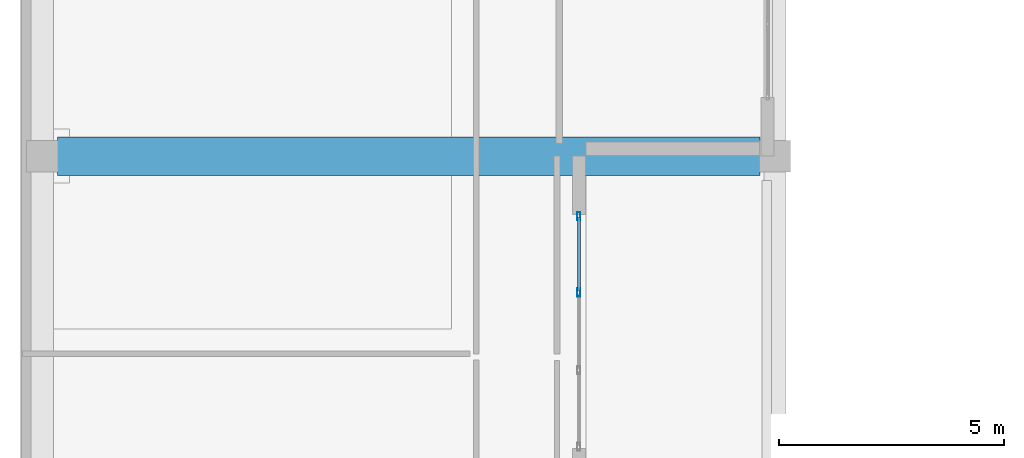
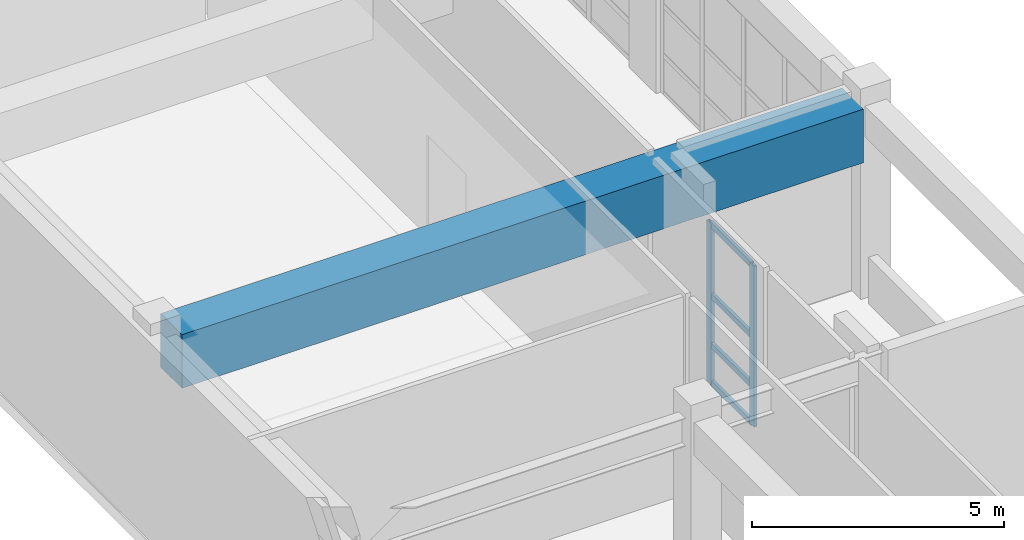
# One storey, part 14 of 78: 6 members, 1 beam, 1 element without a shape of its own.
"""IFC4 building model written with IfcOpenShell, lengths in metres."""

from ifc_helpers import new_model, si_unit, direction, frame, origin, origin_2d, place, context, subcontext, project, spatial, rectangle, hollow_rectangle, extrude, material, layer, layer_set, material_profile, profile_set, type_object, element, aggregate, save


model = new_model("IFC4")

# Units and contexts
model_context = context("Model", 3, precision=1e-05, world=origin(), true_north=direction((0.0, 1.0)))
body_context = subcontext(model_context, "Body", "Model", "MODEL_VIEW")
ifc_project = project(units=[si_unit("LENGTHUNIT", "METRE"), si_unit("AREAUNIT", "SQUARE_METRE"), si_unit("VOLUMEUNIT", "CUBIC_METRE"), si_unit("PLANEANGLEUNIT", "RADIAN"), si_unit("MASSUNIT", "GRAM", prefix="KILO")], contexts=[model_context])

# Site, building, storey
site_placement = place(None, origin())
site = spatial("IfcSite", under=ifc_project, at=site_placement, CompositionType="ELEMENT")
building_placement = place(site_placement, origin())
building = spatial("IfcBuilding", under=site, at=building_placement, Name="Quendrovan Civic Courthouse", CompositionType="ELEMENT")
storey_placement = place(building_placement, frame((0.0, 0.0, 10.199951171875)))
storey = spatial("IfcBuildingStorey", under=building, at=storey_placement, Name="L03", CompositionType="ELEMENT", Elevation=10.199951171875)

# Beam
ifc_material_1 = material(Name="Post-tensioned concrete C50/60", Category="concrete")
ifc_material_profile_1 = material_profile(ifc_material_1, rectangle(XDim=0.85009765625, YDim=1.300048828125, at=origin_2d()), Name="PT-GRD-850x1300")
ifc_profile_set_1 = profile_set([ifc_material_profile_1], Name="Post-tensioned concrete C50/60")
beam_type = type_object("IfcBeamType", Name="BM-PT1300", PredefinedType="BEAM", material=ifc_profile_set_1)
beam_placement = place(storey_placement, frame((0.830078125, 31.199951171875, 4.010009765625), z_axis=(1.0, 0.0, 0.0), x_axis=(0.0, 1.0, 0.0)))
element("IfcBeam", 1, at=beam_placement, inside=storey, type_object=beam_type, Name="L03 Girder X0739", PredefinedType="BEAM", context=body_context, shape_type="SweptSolid", body=[
    extrude(rectangle(XDim=0.85009765625, YDim=1.300048828125, at=origin_2d()), origin(), (0.0, 0.0, 1.0), 15.639892578125),
])

# Curtain wall, members
ifc_material_2 = material(Name="Bronze anodised aluminium and low-E glass", Category="aluminium")
ifc_layer = layer(ifc_material_2, 0.179931640625, Name="Bronze anodised aluminium and low-E glass")
ifc_layer_set = layer_set([ifc_layer], Name="Bronze anodised aluminium and low-E glass")
curtain_wall_type = type_object("IfcCurtainWallType", Name="CW-U52x39", PredefinedType="USERDEFINED", material=ifc_layer_set)
curtain_wall_placement = place(storey_placement, origin())
curtain_wall = element("IfcCurtainWall", 2, at=curtain_wall_placement, inside=storey, type_object=curtain_wall_type, Name="L03 Unitised Hurricane Curtain Wall CW-126", ObjectType="UNITISED CURTAIN WALL", PredefinedType="USERDEFINED")
ifc_material_3 = material(Name="Bronze anodised aluminium", Category="aluminium")
ifc_material_profile_2 = material_profile(ifc_material_3, hollow_rectangle(XDim=0.070068359375, YDim=0.179931640625, WallThickness=0.00390625, at=origin_2d()), Name="CW-MULL-70x180")
ifc_profile_set_2 = profile_set([ifc_material_profile_2], Name="Bronze anodised aluminium")
member_type_1 = type_object("IfcMemberType", Name="CW-MULL-A", PredefinedType="MULLION", material=ifc_profile_set_2)
member_1_placement = place(storey_placement, frame((12.43505859375, 29.864990234375, 0.0), z_axis=(0.0, 0.0, 1.0), x_axis=(1.0, 0.0, 0.0)))
member_1 = element("IfcMember", 3, at=member_1_placement, type_object=member_type_1, Name="CW-126 mullion 1", PredefinedType="MULLION", context=body_context, shape_type="SweptSolid", body=[
    extrude(hollow_rectangle(XDim=0.070068359375, YDim=0.179931640625, WallThickness=0.00390625, at=origin_2d()), origin(), (0.0, 0.0, 1.0), 3.900146484375),
])
member_2_placement = place(storey_placement, frame((12.43505859375, 28.166748046875, 0.0), z_axis=(0.0, 0.0, 1.0), x_axis=(1.0, 0.0, 0.0)))
member_2 = element("IfcMember", 4, at=member_2_placement, type_object=member_type_1, Name="CW-126 mullion 2", PredefinedType="MULLION", context=body_context, shape_type="SweptSolid", body=[
    extrude(hollow_rectangle(XDim=0.070068359375, YDim=0.179931640625, WallThickness=0.00390625, at=origin_2d()), origin(), (0.0, 0.0, 1.0), 3.900146484375),
])
ifc_material_profile_3 = material_profile(ifc_material_3, hollow_rectangle(XDim=0.070068359375, YDim=0.139892578125, WallThickness=0.00390625, at=origin_2d()), Name="CW-TRAN-70x140")
ifc_profile_set_3 = profile_set([ifc_material_profile_3], Name="Bronze anodised aluminium")
member_type_2 = type_object("IfcMemberType", Name="CW-TRAN-A", PredefinedType="USERDEFINED", material=ifc_profile_set_3)
member_3_placement = place(storey_placement, frame((12.43505859375, 29.830078125, 0.03515625), z_axis=(0.0, -1.0, 0.0), x_axis=(1.0, 0.0, 0.0)))
member_3 = element("IfcMember", 5, at=member_3_placement, type_object=member_type_2, Name="CW-126 transom 1.1", ObjectType="TRANSOM", PredefinedType="USERDEFINED", context=body_context, shape_type="SweptSolid", body=[
    extrude(hollow_rectangle(XDim=0.070068359375, YDim=0.139892578125, WallThickness=0.00390625, at=origin_2d()), origin(), (0.0, 0.0, 1.0), 1.62841796875),
])
member_4_placement = place(storey_placement, frame((12.43505859375, 29.830078125, 0.949951171875), z_axis=(0.0, -1.0, 0.0), x_axis=(1.0, 0.0, 0.0)))
member_4 = element("IfcMember", 6, at=member_4_placement, type_object=member_type_2, Name="CW-126 transom 1.2", ObjectType="TRANSOM", PredefinedType="USERDEFINED", context=body_context, shape_type="SweptSolid", body=[
    extrude(hollow_rectangle(XDim=0.070068359375, YDim=0.139892578125, WallThickness=0.00390625, at=origin_2d()), origin(), (0.0, 0.0, 1.0), 1.62841796875),
])
member_5_placement = place(storey_placement, frame((12.43505859375, 29.830078125, 2.150146484375), z_axis=(0.0, -1.0, 0.0), x_axis=(1.0, 0.0, 0.0)))
member_5 = element("IfcMember", 7, at=member_5_placement, type_object=member_type_2, Name="CW-126 transom 1.3", ObjectType="TRANSOM", PredefinedType="USERDEFINED", context=body_context, shape_type="SweptSolid", body=[
    extrude(hollow_rectangle(XDim=0.070068359375, YDim=0.139892578125, WallThickness=0.00390625, at=origin_2d()), origin(), (0.0, 0.0, 1.0), 1.62841796875),
])
member_6_placement = place(storey_placement, frame((12.43505859375, 29.830078125, 3.864990234375), z_axis=(0.0, -1.0, 0.0), x_axis=(1.0, 0.0, 0.0)))
member_6 = element("IfcMember", 8, at=member_6_placement, type_object=member_type_2, Name="CW-126 transom 1.4", ObjectType="TRANSOM", PredefinedType="USERDEFINED", context=body_context, shape_type="SweptSolid", body=[
    extrude(hollow_rectangle(XDim=0.070068359375, YDim=0.139892578125, WallThickness=0.00390625, at=origin_2d()), origin(), (0.0, 0.0, 1.0), 1.62841796875),
])
aggregate(curtain_wall, [member_1, member_2, member_3, member_4, member_5, member_6])

save(model, "model.ifc")
